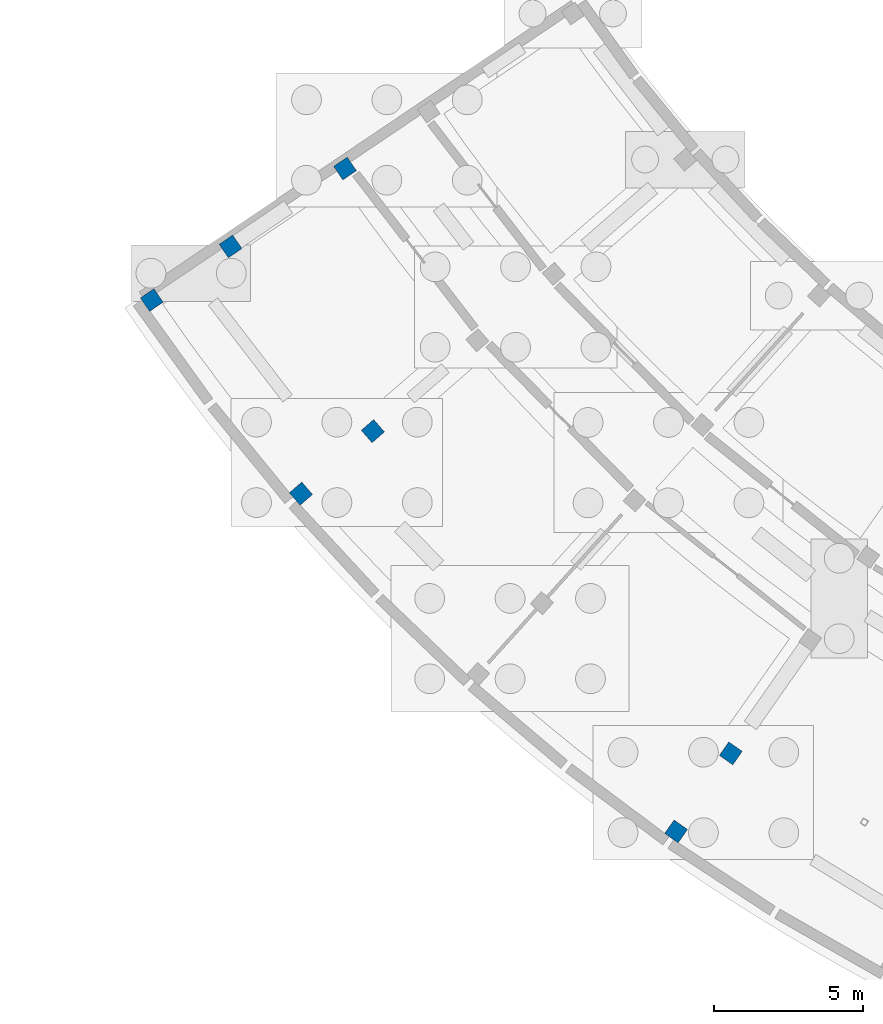
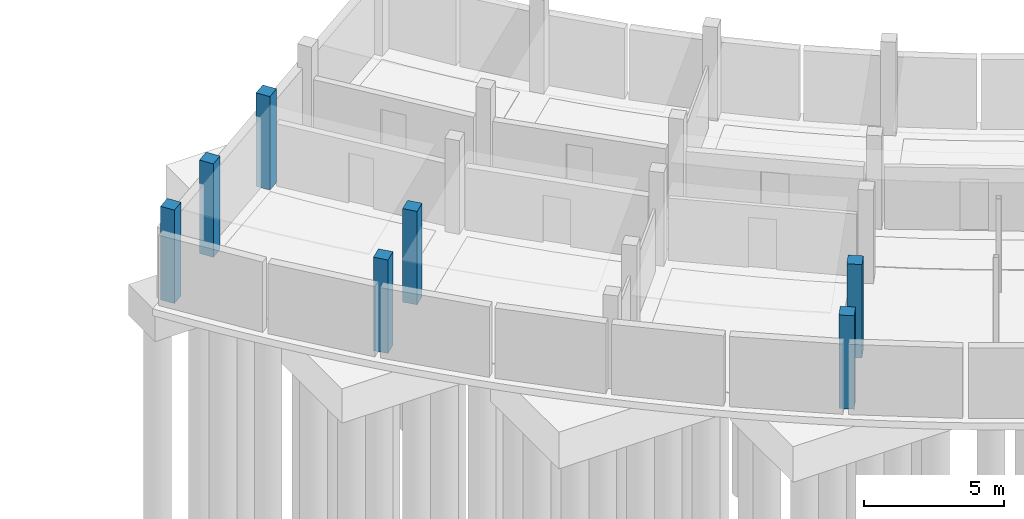
# One storey, part 12 of 58: 7 columns.
"""IFC4 building model written with IfcOpenShell, lengths in metres."""

from ifc_helpers import new_model, si_unit, direction, frame, origin, origin_2d, place, context, subcontext, project, spatial, rectangle, extrude, material, material_profile, profile_set, type_object, element, save


model = new_model("IFC4")

# Units and contexts
model_context = context("Model", 3, precision=1e-05, world=origin(), true_north=direction((0.0, 1.0)))
body_context = subcontext(model_context, "Body", "Model", "MODEL_VIEW")
ifc_project = project(units=[si_unit("LENGTHUNIT", "METRE"), si_unit("AREAUNIT", "SQUARE_METRE"), si_unit("VOLUMEUNIT", "CUBIC_METRE"), si_unit("PLANEANGLEUNIT", "RADIAN"), si_unit("MASSUNIT", "GRAM", prefix="KILO")], contexts=[model_context])

# Site, building, storey
site_placement = place(None, origin())
site = spatial("IfcSite", under=ifc_project, at=site_placement, CompositionType="ELEMENT")
building_placement = place(site_placement, origin())
building = spatial("IfcBuilding", under=site, at=building_placement, Name="Caldaven Crescent School", CompositionType="ELEMENT")
storey_placement = place(building_placement, frame((0.0, 0.0, -4.080078125)))
storey = spatial("IfcBuildingStorey", under=building, at=storey_placement, Name="B1", CompositionType="ELEMENT", Elevation=-4.080078125)

# Columns
ifc_material = material(Name="Concrete C35/45", Category="concrete")
ifc_material_profile = material_profile(ifc_material, rectangle(XDim=0.550048828125, YDim=0.550048828125, at=origin_2d()), Name="RC 550x550")
ifc_profile_set = profile_set([ifc_material_profile], Name="Concrete C35/45")
column_type = type_object("IfcColumnType", Name="COL-RC55", PredefinedType="COLUMN", material=ifc_profile_set)
for number, where, z_axis, x_axis, name in (
    (1, (36.990234375, 61.288330078125, 0.0), (0.0, 0.0, 1.0), (-0.826786154745, -0.562516359159, 0.0), "COL-V4W-B1-00-2"),
    (2, (33.14599609375, 58.67236328125, 0.0), (0.0, 0.0, 1.0), (-0.826786154745, -0.562516359159, 0.0), "COL-V4W-B1-00-3"),
    (3, (30.500244140625, 56.8720703125, 0.0), (0.0, 0.0, 1.0), (-0.826786154745, -0.562516359159, 0.0), "COL-V4W-B1-00-4"),
    (4, (37.925048828125, 52.470458984375, 0.0), (0.0, 0.0, 1.0), (-0.754709580223, -0.656059028991, 0.0), "COL-V4W-B1-01-3"),
    (5, (35.510009765625, 50.37109375, 0.0), (0.0, 0.0, 1.0), (-0.754709580223, -0.656059028991, 0.0), "COL-V4W-B1-01-4"),
    (6, (49.943115234375, 41.649169921875, 0.0), (0.0, 0.0, 1.0), (-0.573576436351, -0.819152044289, 0.0), "COL-V4W-B1-03-3"),
    (7, (48.107666015625, 39.028076171875, 0.0), (0.0, 0.0, 1.0), (-0.573576436351, -0.819152044289, 0.0), "COL-V4W-B1-03-4"),
):
    element("IfcColumn", number, at=place(storey_placement, frame(where, z_axis=z_axis, x_axis=x_axis)), inside=storey, type_object=column_type, Name=name, PredefinedType="COLUMN", context=body_context, shape_type="SweptSolid", body=[
        extrude(rectangle(XDim=0.550048828125, YDim=0.550048828125, at=origin_2d()), origin(), (0.0, 0.0, 1.0), 4.080078125),
    ])

save(model, "model.ifc")
